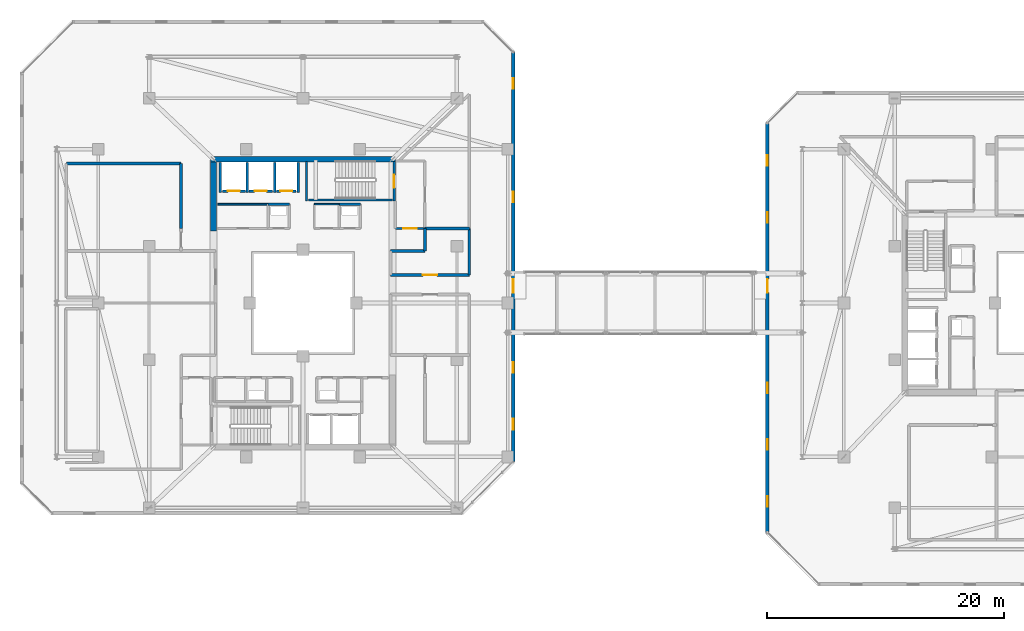
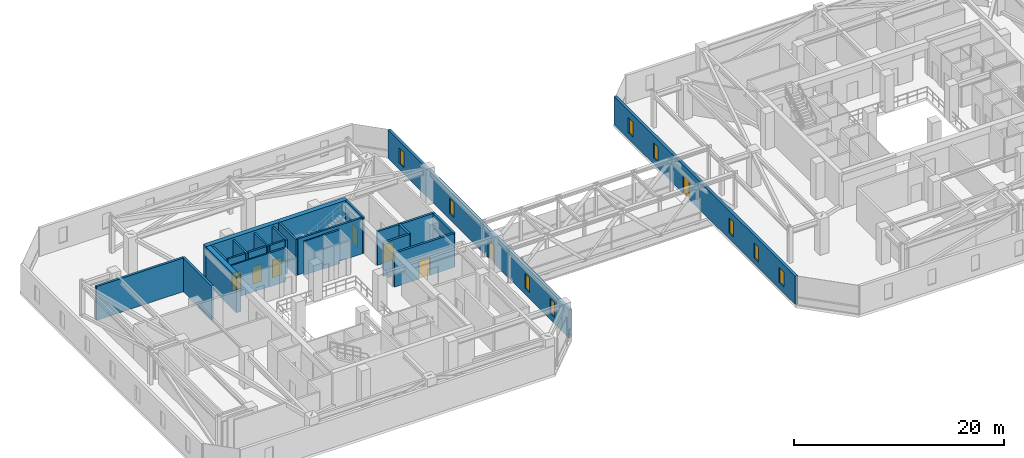
# One storey, part 35 of 42: 26 walls, 9 windows, 8 doors, 17 openings.
"""IFC4 building model written with IfcOpenShell, lengths in metres."""

from ifc_helpers import new_model, si_unit, direction, frame, frame_2d, origin, place, context, subcontext, project, spatial, rectangle, extrude, material, layer, layer_set, type_object, element, fill, save


model = new_model("IFC4")

# Units and contexts
model_context = context("Model", 3, precision=1e-05, world=origin(), true_north=direction((0.0, 1.0)))
body_context = subcontext(model_context, "Body", "Model", "MODEL_VIEW")
ifc_project = project(units=[si_unit("LENGTHUNIT", "METRE"), si_unit("AREAUNIT", "SQUARE_METRE"), si_unit("VOLUMEUNIT", "CUBIC_METRE"), si_unit("PLANEANGLEUNIT", "RADIAN"), si_unit("MASSUNIT", "GRAM", prefix="KILO")], contexts=[model_context])

# Site, building, storey
site_placement = place(None, origin())
site = spatial("IfcSite", under=ifc_project, at=site_placement, CompositionType="ELEMENT")
building_placement = place(site_placement, origin())
building = spatial("IfcBuilding", under=site, at=building_placement, Name="Thornwick Lancets Civic Towers", CompositionType="ELEMENT")
storey_placement = place(building_placement, frame((0.0, 0.0, 221.699951171875)))
storey = spatial("IfcBuildingStorey", under=building, at=storey_placement, Name="L59", CompositionType="ELEMENT", Elevation=221.699951171875)

# Wall, opening, door
ifc_material_1 = material(Name="Concrete blockwork C40/50", Category="masonry")
ifc_layer_1 = layer(ifc_material_1, 0.199951171875, Name="Concrete blockwork C40/50")
ifc_layer_set_1 = layer_set([ifc_layer_1], Name="Concrete blockwork C40/50")
wall_type_1 = type_object("IfcWallType", Name="WALL_COMP_200", PredefinedType="STANDARD", material=ifc_layer_set_1)
wall_1_placement = place(storey_placement, frame((24.919921875, 36.449951171875, 0.0), z_axis=(0.0, 0.0, 1.0), x_axis=(-1.0, 0.0, 0.0)))
wall_1 = element("IfcWall", 1, at=wall_1_placement, inside=storey, type_object=wall_type_1, Name="L59 Hoistway Front Wall FL-A2", PredefinedType="STANDARD", context=body_context, shape_type="SweptSolid", body=[
    extrude(rectangle(XDim=1.639892578125, YDim=0.199951171875, at=frame_2d((0.81982421875, 0.0))), origin(), (0.0, 0.0, 1.0), 3.93994140625),
])
opening_1_placement = place(wall_1_placement, frame((0.31005859375, 0.0, 0.0)))
opening_1 = element("IfcOpeningElement", 2, at=opening_1_placement, cuts=wall_1, Name="Opening LD-FL-A2", PredefinedType="OPENING", context=body_context, shape_type="SweptSolid", body=[
    extrude(rectangle(XDim=1.02001953125, YDim=2.06005859375, at=frame_2d((0.510009765625, 1.030029296875))), frame((0.0, 0.10986328125, 0.0), z_axis=(0.0, -1.0, 0.0), x_axis=(1.0, 0.0, 0.0)), (0.0, 0.0, 1.0), 0.219970703125),
])
ifc_material_2 = material(Name="Brushed bronze stainless steel", Category="steel")
door_type_1 = type_object("IfcDoorType", Name="DOOR_LIFT_SLIDE", OperationType="SLIDING_TO_LEFT", PredefinedType="DOOR", material=ifc_material_2)
door_1_placement = place(opening_1_placement, origin())
door_1 = element("IfcDoor", 3, at=door_1_placement, inside=storey, type_object=door_type_1, Name="L59 Sliding Lift Landing Door LD-FL-A2", OperationType="SLIDING_TO_LEFT", OverallHeight=2.06005859375, OverallWidth=1.02001953125, PredefinedType="DOOR", context=body_context, shape_type="SweptSolid", body=[
    extrude(rectangle(XDim=1.02001953125, YDim=2.06005859375, at=frame_2d((0.510009765625, 1.030029296875))), frame((0.0, 0.02490234375, 0.0), z_axis=(0.0, -1.0, 0.0), x_axis=(1.0, 0.0, 0.0)), (0.0, 0.0, 1.0), 0.050048828125),
])
fill(opening_1, door_1)

wall_2_placement = place(storey_placement, frame((22.919921875, 36.449951171875, 0.0), z_axis=(0.0, 0.0, 1.0), x_axis=(-1.0, 0.0, 0.0)))
wall_2 = element("IfcWall", 4, at=wall_2_placement, inside=storey, type_object=wall_type_1, Name="L59 Hoistway Front Wall PL-AH2", PredefinedType="STANDARD", context=body_context, shape_type="SweptSolid", body=[
    extrude(rectangle(XDim=1.989990234375, YDim=0.199951171875, at=frame_2d((0.9951171875, 0.0))), origin(), (0.0, 0.0, 1.0), 3.93994140625),
])
opening_2_placement = place(wall_2_placement, frame((0.485107421875, 0.0, 0.0)))
opening_2 = element("IfcOpeningElement", 5, at=opening_2_placement, cuts=wall_2, Name="Opening LD-PL-AH2", PredefinedType="OPENING", context=body_context, shape_type="SweptSolid", body=[
    extrude(rectangle(XDim=1.02001953125, YDim=2.06005859375, at=frame_2d((0.510009765625, 1.030029296875))), frame((0.0, 0.10986328125, 0.0), z_axis=(0.0, -1.0, 0.0), x_axis=(1.0, 0.0, 0.0)), (0.0, 0.0, 1.0), 0.219970703125),
])
door_2_placement = place(opening_2_placement, origin())
door_2 = element("IfcDoor", 6, at=door_2_placement, inside=storey, type_object=door_type_1, Name="L59 Sliding Lift Landing Door LD-PL-AH2", OperationType="SLIDING_TO_LEFT", OverallHeight=2.06005859375, OverallWidth=1.02001953125, PredefinedType="DOOR", context=body_context, shape_type="SweptSolid", body=[
    extrude(rectangle(XDim=1.02001953125, YDim=2.06005859375, at=frame_2d((0.510009765625, 1.030029296875))), frame((0.0, 0.02490234375, 0.0), z_axis=(0.0, -1.0, 0.0), x_axis=(1.0, 0.0, 0.0)), (0.0, 0.0, 1.0), 0.050048828125),
])
fill(opening_2, door_2)

wall_3_placement = place(storey_placement, frame((20.6201171875, 36.449951171875, 0.0), z_axis=(0.0, 0.0, 1.0), x_axis=(-1.0, 0.0, 0.0)))
wall_3 = element("IfcWall", 7, at=wall_3_placement, inside=storey, type_object=wall_type_1, Name="L59 Hoistway Front Wall PL-AH3", PredefinedType="STANDARD", context=body_context, shape_type="SweptSolid", body=[
    extrude(rectangle(XDim=1.940185546875, YDim=0.199951171875, at=frame_2d((0.97021484375, 0.0))), origin(), (0.0, 0.0, 1.0), 3.93994140625),
])
opening_3_placement = place(wall_3_placement, frame((0.4599609375, 0.0, 0.0)))
opening_3 = element("IfcOpeningElement", 8, at=opening_3_placement, cuts=wall_3, Name="Opening LD-PL-AH3", PredefinedType="OPENING", context=body_context, shape_type="SweptSolid", body=[
    extrude(rectangle(XDim=1.02001953125, YDim=2.06005859375, at=frame_2d((0.510009765625, 1.030029296875))), frame((0.0, 0.10986328125, 0.0), z_axis=(0.0, -1.0, 0.0), x_axis=(1.0, 0.0, 0.0)), (0.0, 0.0, 1.0), 0.219970703125),
])
door_3_placement = place(opening_3_placement, origin())
door_3 = element("IfcDoor", 9, at=door_3_placement, inside=storey, type_object=door_type_1, Name="L59 Sliding Lift Landing Door LD-PL-AH3", OperationType="SLIDING_TO_LEFT", OverallHeight=2.06005859375, OverallWidth=1.02001953125, PredefinedType="DOOR", context=body_context, shape_type="SweptSolid", body=[
    extrude(rectangle(XDim=1.02001953125, YDim=2.06005859375, at=frame_2d((0.510009765625, 1.030029296875))), frame((0.0, 0.02490234375, 0.0), z_axis=(0.0, -1.0, 0.0), x_axis=(1.0, 0.0, 0.0)), (0.0, 0.0, 1.0), 0.050048828125),
])
fill(opening_3, door_3)

# Walls
for number, where, z_axis, x_axis, name in (
    (10, (25.10009765625, 36.35205078125, 0.0), (0.0, 0.0, 1.0), (0.0, 1.0, 0.0), "L59 Hoistway Shaft Wall FL-A2 E"),
    (11, (23.10009765625, 36.35205078125, 0.0), (0.0, 0.0, 1.0), (0.0, 1.0, 0.0), "L59 Hoistway Shaft Wall FL-A2 W"),
    (12, (20.77490234375, 36.35205078125, 0.0), (0.0, 0.0, 1.0), (0.0, 1.0, 0.0), "L59 Hoistway Shaft Wall PL-AH2 W"),
    (13, (18.5, 36.35205078125, 0.0), (0.0, 0.0, 1.0), (0.0, 1.0, 0.0), "L59 Hoistway Shaft Wall PL-AH3 W"),
):
    element("IfcWall", number, at=place(storey_placement, frame(where, z_axis=z_axis, x_axis=x_axis)), inside=storey, type_object=wall_type_1, Name=name, PredefinedType="STANDARD", context=body_context, shape_type="SweptSolid", body=[
        extrude(rectangle(XDim=2.535888671875, YDim=0.199951171875, at=frame_2d((1.26806640625, 0.0))), origin(), (0.0, 0.0, 1.0), 3.93994140625),
    ])

# Wall, opening, door
wall_4_placement = place(storey_placement, frame((33.300048828125, 33.300048828125, 0.0), z_axis=(0.0, 0.0, 1.0), x_axis=(1.0, 0.0, 0.0)))
wall_4 = element("IfcWall", 14, at=wall_4_placement, inside=storey, type_object=wall_type_1, Name="L59 Partition L59-A-FFLOB2 E1", PredefinedType="STANDARD", context=body_context, shape_type="SweptSolid", body=[
    extrude(rectangle(XDim=2.5, YDim=0.199951171875, at=frame_2d((1.25, 0.0))), origin(), (0.0, 0.0, 1.0), 3.93994140625),
])
opening_4_placement = place(wall_4_placement, frame((0.675048828125, 0.0, 0.0)))
opening_4 = element("IfcOpeningElement", 15, at=opening_4_placement, cuts=wall_4, Name="Opening D-L59-2640", PredefinedType="OPENING", context=body_context, shape_type="SweptSolid", body=[
    extrude(rectangle(XDim=1.14990234375, YDim=2.10009765625, at=frame_2d((0.574951171875, 1.050048828125))), frame((0.0, 0.10986328125, 0.0), z_axis=(0.0, -1.0, 0.0), x_axis=(1.0, 0.0, 0.0)), (0.0, 0.0, 1.0), 0.219970703125),
])
ifc_material_3 = material(Name="Glazed fire-resisting steel", Category="steel")
door_type_2 = type_object("IfcDoorType", Name="DOOR_LOBBY_FD60", OperationType="NOTDEFINED", PredefinedType="DOOR", material=ifc_material_3)
door_4_placement = place(opening_4_placement, origin())
door_4 = element("IfcDoor", 16, at=door_4_placement, inside=storey, type_object=door_type_2, Name="L59 North Firefighting Lobby 2 Door", OperationType="SINGLE_SWING_LEFT", OverallHeight=2.10009765625, OverallWidth=1.14990234375, PredefinedType="DOOR", context=body_context, shape_type="SweptSolid", body=[
    extrude(rectangle(XDim=1.14990234375, YDim=2.10009765625, at=frame_2d((0.574951171875, 1.050048828125))), frame((0.0, 0.02490234375, 0.0), z_axis=(0.0, -1.0, 0.0), x_axis=(1.0, 0.0, 0.0)), (0.0, 0.0, 1.0), 0.050048828125),
])
fill(opening_4, door_4)

# Walls
for number, where, z_axis, x_axis, name in (
    (17, (24.35009765625, 35.35009765625, 0.0), (0.0, 0.0, 1.0), (-1.0, 0.0, 0.0), "L59 Partition L59-A-DUCT2 E3"),
    (18, (30.35009765625, 35.35009765625, 0.0), (0.0, 0.0, 1.0), (-1.0, 0.0, 0.0), "L59 Partition L59-A-RISER2 E3"),
):
    element("IfcWall", number, at=place(storey_placement, frame(where, z_axis=z_axis, x_axis=x_axis)), inside=storey, type_object=wall_type_1, Name=name, PredefinedType="STANDARD", context=body_context, shape_type="SweptSolid", body=[
        extrude(rectangle(XDim=1.800048828125, YDim=0.199951171875, at=frame_2d((0.89990234375, 0.0))), origin(), (0.0, 0.0, 1.0), 3.93994140625),
    ])
ifc_layer_2 = layer(ifc_material_1, 0.239990234375, Name="Concrete blockwork C40/50")
ifc_layer_set_2 = layer_set([ifc_layer_2], Name="Concrete blockwork C40/50")
wall_type_2 = type_object("IfcWallType", Name="WALL_COMP_240", PredefinedType="STANDARD", material=ifc_layer_set_2)
wall_5_placement = place(storey_placement, frame((32.89990234375, 31.39990234375, 0.0), z_axis=(0.0, 0.0, 1.0), x_axis=(1.0, 0.0, 0.0)))
element("IfcWall", 19, at=wall_5_placement, inside=storey, type_object=wall_type_2, Name="L59 Partition L59-A-PL-PRS E1", PredefinedType="STANDARD", context=body_context, shape_type="SweptSolid", body=[
    extrude(rectangle(XDim=2.900146484375, YDim=0.239990234375, at=frame_2d((1.4501953125, 0.0))), origin(), (0.0, 0.0, 1.0), 3.93994140625),
])
wall_6_placement = place(storey_placement, frame((35.800048828125, 31.39990234375, 0.0), z_axis=(0.0, 0.0, 1.0), x_axis=(0.0, 1.0, 0.0)))
element("IfcWall", 20, at=wall_6_placement, inside=storey, type_object=wall_type_2, Name="L59 Partition L59-A-PL-PRS E2", PredefinedType="STANDARD", context=body_context, shape_type="SweptSolid", body=[
    extrude(rectangle(XDim=1.900146484375, YDim=0.239990234375, at=frame_2d((0.9501953125, 0.0))), origin(), (0.0, 0.0, 1.0), 3.93994140625),
])
wall_7_placement = place(storey_placement, frame((35.800048828125, 33.300048828125, 0.0), z_axis=(0.0, 0.0, 1.0), x_axis=(1.0, 0.0, 0.0)))
element("IfcWall", 21, at=wall_7_placement, inside=storey, type_object=wall_type_2, Name="L59 Partition L59-A-PL-PRS E3", PredefinedType="STANDARD", context=body_context, shape_type="SweptSolid", body=[
    extrude(rectangle(XDim=3.75, YDim=0.239990234375, at=frame_2d((1.875, 0.0))), origin(), (0.0, 0.0, 1.0), 3.93994140625),
])
wall_8_placement = place(storey_placement, frame((39.550048828125, 33.300048828125, 0.0), z_axis=(0.0, 0.0, 1.0), x_axis=(0.0, -1.0, 0.0)))
element("IfcWall", 22, at=wall_8_placement, inside=storey, type_object=wall_type_2, Name="L59 Partition L59-A-PL-PRS E4", PredefinedType="STANDARD", context=body_context, shape_type="SweptSolid", body=[
    extrude(rectangle(XDim=3.920166015625, YDim=0.239990234375, at=frame_2d((1.9599609375, 0.0))), origin(), (0.0, 0.0, 1.0), 3.93994140625),
])

# Wall, opening, door
wall_9_placement = place(storey_placement, frame((39.550048828125, 29.3798828125, 0.0), z_axis=(0.0, 0.0, 1.0), x_axis=(-1.0, 0.0, 0.0)))
wall_9 = element("IfcWall", 23, at=wall_9_placement, inside=storey, type_object=wall_type_2, Name="L59 Partition L59-A-PL-PRS E5", PredefinedType="STANDARD", context=body_context, shape_type="SweptSolid", body=[
    extrude(rectangle(XDim=6.650146484375, YDim=0.239990234375, at=frame_2d((3.3251953125, 0.0))), origin(), (0.0, 0.0, 1.0), 3.93994140625),
])
opening_5_placement = place(wall_9_placement, frame((2.72509765625, 0.0, 0.0)))
opening_5 = element("IfcOpeningElement", 24, at=opening_5_placement, cuts=wall_9, Name="Opening D-L59-2664", PredefinedType="OPENING", context=body_context, shape_type="SweptSolid", body=[
    extrude(rectangle(XDim=1.199951171875, YDim=2.10009765625, at=frame_2d((0.60009765625, 1.050048828125))), frame((0.0, 0.1298828125, 0.0), z_axis=(0.0, -1.0, 0.0), x_axis=(1.0, 0.0, 0.0)), (0.0, 0.0, 1.0), 0.260009765625),
])
ifc_material_4 = material(Name="Steel plant room doorset", Category="steel")
door_type_3 = type_object("IfcDoorType", Name="DOOR_PLANT_1200", OperationType="NOTDEFINED", PredefinedType="DOOR", material=ifc_material_4)
door_5_placement = place(opening_5_placement, origin())
door_5 = element("IfcDoor", 25, at=door_5_placement, inside=storey, type_object=door_type_3, Name="L59 Tower A Pressurisation Air Handling Plant Room Door", OperationType="SINGLE_SWING_LEFT", OverallHeight=2.10009765625, OverallWidth=1.199951171875, PredefinedType="DOOR", context=body_context, shape_type="SweptSolid", body=[
    extrude(rectangle(XDim=1.199951171875, YDim=2.10009765625, at=frame_2d((0.60009765625, 1.050048828125))), frame((0.0, 0.02490234375, 0.0), z_axis=(0.0, -1.0, 0.0), x_axis=(1.0, 0.0, 0.0)), (0.0, 0.0, 1.0), 0.050048828125),
])
fill(opening_5, door_5)

# Walls
wall_10_placement = place(storey_placement, frame((5.5, 38.800048828125, 0.0), z_axis=(0.0, 0.0, 1.0), x_axis=(1.0, 0.0, 0.0)))
element("IfcWall", 26, at=wall_10_placement, inside=storey, type_object=wall_type_2, Name="L59 Partition L59-A-PL-ELC E1", PredefinedType="STANDARD", context=body_context, shape_type="SweptSolid", body=[
    extrude(rectangle(XDim=9.699951171875, YDim=0.239990234375, at=frame_2d((4.85009765625, 0.0))), origin(), (0.0, 0.0, 1.0), 3.93994140625),
])
wall_11_placement = place(storey_placement, frame((15.199951171875, 38.800048828125, 0.0), z_axis=(0.0, 0.0, 1.0), x_axis=(0.0, -1.0, 0.0)))
element("IfcWall", 27, at=wall_11_placement, inside=storey, type_object=wall_type_2, Name="L59 Partition L59-A-PL-ELC E2", PredefinedType="STANDARD", context=body_context, shape_type="SweptSolid", body=[
    extrude(rectangle(XDim=5.5, YDim=0.239990234375, at=frame_2d((2.75, 0.0))), origin(), (0.0, 0.0, 1.0), 3.93994140625),
])
ifc_material_5 = material(Name="Concrete C50/60", Category="concrete")
ifc_layer_3 = layer(ifc_material_5, 0.5, Name="Concrete C50/60")
ifc_layer_set_3 = layer_set([ifc_layer_3], Name="Concrete C50/60")
wall_type_3 = type_object("IfcWallType", Name="WALL_CORE_500", PredefinedType="SHEAR", material=ifc_layer_set_3)
wall_12_placement = place(storey_placement, frame((17.699951171875, 39.14990234375, 0.0), z_axis=(0.0, 0.0, 1.0), x_axis=(1.0, 0.0, 0.0)))
element("IfcWall", 28, at=wall_12_placement, inside=storey, type_object=wall_type_3, Name="L59 Split Core A2 Shear Wall N", PredefinedType="SHEAR", context=body_context, shape_type="SweptSolid", body=[
    extrude(rectangle(XDim=15.60009765625, YDim=0.5, at=frame_2d((7.800048828125, 0.0))), origin(), (0.0, 0.0, 1.0), 4.199951171875),
])
wall_13_placement = place(storey_placement, frame((17.949951171875, 33.10009765625, 0.0), z_axis=(0.0, 0.0, 1.0), x_axis=(0.0, 1.0, 0.0)))
element("IfcWall", 29, at=wall_13_placement, inside=storey, type_object=wall_type_3, Name="L59 Split Core A2 Shear Wall W", PredefinedType="SHEAR", context=body_context, shape_type="SweptSolid", body=[
    extrude(rectangle(XDim=5.7998046875, YDim=0.5, at=frame_2d((2.89990234375, 0.0))), origin(), (0.0, 0.0, 1.0), 4.199951171875),
])

# Wall, openings, door, windows
ifc_material_6 = material(Name="Insulated russet terracotta rainscreen on concrete C40/50", Category="masonry")
ifc_layer_4 = layer(ifc_material_6, 0.300048828125, Name="Insulated russet terracotta rainscreen on concrete C40/50")
ifc_layer_set_4 = layer_set([ifc_layer_4], Name="Insulated russet terracotta rainscreen on concrete C40/50")
wall_type_4 = type_object("IfcWallType", Name="WALL_EXT_RUSSET_300", PredefinedType="STANDARD", material=ifc_layer_set_4)
wall_14_placement = place(storey_placement, frame((43.2587890625, 13.611572265625, 0.0), z_axis=(0.0, 0.0, 1.0), x_axis=(0.000169493917, 0.999999985636, 0.0)))
wall_14 = element("IfcWall", 30, at=wall_14_placement, inside=storey, type_object=wall_type_4, Name="L59 Tower A Terracotta Facade Wall E2", PredefinedType="STANDARD", context=body_context, shape_type="SweptSolid", body=[
    extrude(rectangle(XDim=34.56982421875, YDim=0.300048828125, at=frame_2d((17.284912109375, 0.0))), origin(), (0.0, 0.0, 1.0), 3.300048828125),
])
opening_6_placement = place(wall_14_placement, frame((14.263427734375, 0.0, 0.0)))
opening_6 = element("IfcOpeningElement", 31, at=opening_6_placement, cuts=wall_14, Name="Opening D-BRG-L59-A", PredefinedType="OPENING", context=body_context, shape_type="SweptSolid", body=[
    extrude(rectangle(XDim=1.14990234375, YDim=2.10009765625, at=frame_2d((0.574951171875, 1.050048828125))), frame((0.0, 0.16015625, 0.0), z_axis=(0.0, -1.0, 0.0), x_axis=(1.0, 0.0, 0.0)), (0.0, 0.0, 1.0), 0.320068359375),
])
opening_7_placement = place(wall_14_placement, frame((2.699951171875, 0.0, 0.719970703125)))
opening_7 = element("IfcOpeningElement", 32, at=opening_7_placement, cuts=wall_14, Name="Opening WL-01", PredefinedType="OPENING", context=body_context, shape_type="SweptSolid", body=[
    extrude(rectangle(XDim=0.89990234375, YDim=1.75, at=frame_2d((0.449951171875, 0.875))), frame((0.0, 0.16015625, 0.0), z_axis=(0.0, -1.0, 0.0), x_axis=(1.0, 0.0, 0.0)), (0.0, 0.0, 1.0), 0.320068359375),
])
opening_8_placement = place(wall_14_placement, frame((7.5, 0.0, 0.719970703125)))
opening_8 = element("IfcOpeningElement", 33, at=opening_8_placement, cuts=wall_14, Name="Opening WL-01", PredefinedType="OPENING", context=body_context, shape_type="SweptSolid", body=[
    extrude(rectangle(XDim=0.89990234375, YDim=1.75, at=frame_2d((0.449951171875, 0.875))), frame((0.0, 0.16015625, 0.0), z_axis=(0.0, -1.0, 0.0), x_axis=(1.0, 0.0, 0.0)), (0.0, 0.0, 1.0), 0.320068359375),
])
opening_9_placement = place(wall_14_placement, frame((21.89990234375, 0.0, 0.719970703125)))
opening_9 = element("IfcOpeningElement", 34, at=opening_9_placement, cuts=wall_14, Name="Opening WL-01", PredefinedType="OPENING", context=body_context, shape_type="SweptSolid", body=[
    extrude(rectangle(XDim=0.89990234375, YDim=1.75, at=frame_2d((0.449951171875, 0.875))), frame((0.0, 0.16015625, 0.0), z_axis=(0.0, -1.0, 0.0), x_axis=(1.0, 0.0, 0.0)), (0.0, 0.0, 1.0), 0.320068359375),
])
opening_10_placement = place(wall_14_placement, frame((31.5, 0.0, 0.719970703125)))
opening_10 = element("IfcOpeningElement", 35, at=opening_10_placement, cuts=wall_14, Name="Opening WL-01", PredefinedType="OPENING", context=body_context, shape_type="SweptSolid", body=[
    extrude(rectangle(XDim=0.89990234375, YDim=1.75, at=frame_2d((0.449951171875, 0.875))), frame((0.0, 0.16015625, 0.0), z_axis=(0.0, -1.0, 0.0), x_axis=(1.0, 0.0, 0.0)), (0.0, 0.0, 1.0), 0.320068359375),
])
ifc_material_7 = material(Name="Fire-resisting steel doorset", Category="steel")
door_type_4 = type_object("IfcDoorType", Name="DOOR_BRIDGE_FD120", OperationType="DOUBLE_DOOR_SINGLE_SWING", PredefinedType="DOOR", material=ifc_material_7)
door_6_placement = place(opening_6_placement, origin())
door_6 = element("IfcDoor", 36, at=door_6_placement, inside=storey, type_object=door_type_4, Name="L59 Tower A Skybridge Escape Fire Door", OperationType="DOUBLE_DOOR_SINGLE_SWING", OverallHeight=2.10009765625, OverallWidth=1.14990234375, PredefinedType="DOOR", context=body_context, shape_type="SweptSolid", body=[
    extrude(rectangle(XDim=1.14990234375, YDim=2.10009765625, at=frame_2d((0.574951171875, 1.050048828125))), frame((0.0, 0.02490234375, 0.0), z_axis=(0.0, -1.0, 0.0), x_axis=(1.0, 0.0, 0.0)), (0.0, 0.0, 1.0), 0.050048828125),
])
fill(opening_6, door_6)
ifc_material_8 = material(Name="Clear low-e double glazing in bronze frame", Category="glass")
window_type = type_object("IfcWindowType", Name="WIN_LANCET_900", PartitioningType="SINGLE_PANEL", PredefinedType="WINDOW", material=ifc_material_8)
window_1_placement = place(opening_7_placement, origin())
window_1 = element("IfcWindow", 37, at=window_1_placement, inside=storey, type_object=window_type, Name="L59 Tower A Staggered Lancet Window E2-1", OverallHeight=1.75, OverallWidth=0.89990234375, PartitioningType="SINGLE_PANEL", PredefinedType="WINDOW", context=body_context, shape_type="SweptSolid", body=[
    extrude(rectangle(XDim=0.89990234375, YDim=1.75, at=frame_2d((0.449951171875, 0.875))), frame((0.0, 0.030029296875, 0.0), z_axis=(0.0, -1.0, 0.0), x_axis=(1.0, 0.0, 0.0)), (0.0, 0.0, 1.0), 0.06005859375),
])
fill(opening_7, window_1)
window_2_placement = place(opening_8_placement, origin())
window_2 = element("IfcWindow", 38, at=window_2_placement, inside=storey, type_object=window_type, Name="L59 Tower A Staggered Lancet Window E2-2", OverallHeight=1.75, OverallWidth=0.89990234375, PartitioningType="SINGLE_PANEL", PredefinedType="WINDOW", context=body_context, shape_type="SweptSolid", body=[
    extrude(rectangle(XDim=0.89990234375, YDim=1.75, at=frame_2d((0.449951171875, 0.875))), frame((0.0, 0.030029296875, 0.0), z_axis=(0.0, -1.0, 0.0), x_axis=(1.0, 0.0, 0.0)), (0.0, 0.0, 1.0), 0.06005859375),
])
fill(opening_8, window_2)
window_3_placement = place(opening_9_placement, origin())
window_3 = element("IfcWindow", 39, at=window_3_placement, inside=storey, type_object=window_type, Name="L59 Tower A Staggered Lancet Window E2-3", OverallHeight=1.75, OverallWidth=0.89990234375, PartitioningType="SINGLE_PANEL", PredefinedType="WINDOW", context=body_context, shape_type="SweptSolid", body=[
    extrude(rectangle(XDim=0.89990234375, YDim=1.75, at=frame_2d((0.449951171875, 0.875))), frame((0.0, 0.030029296875, 0.0), z_axis=(0.0, -1.0, 0.0), x_axis=(1.0, 0.0, 0.0)), (0.0, 0.0, 1.0), 0.06005859375),
])
fill(opening_9, window_3)
window_4_placement = place(opening_10_placement, origin())
window_4 = element("IfcWindow", 40, at=window_4_placement, inside=storey, type_object=window_type, Name="L59 Tower A Staggered Lancet Window E2-4", OverallHeight=1.75, OverallWidth=0.89990234375, PartitioningType="SINGLE_PANEL", PredefinedType="WINDOW", context=body_context, shape_type="SweptSolid", body=[
    extrude(rectangle(XDim=0.89990234375, YDim=1.75, at=frame_2d((0.449951171875, 0.875))), frame((0.0, 0.030029296875, 0.0), z_axis=(0.0, -1.0, 0.0), x_axis=(1.0, 0.0, 0.0)), (0.0, 0.0, 1.0), 0.06005859375),
])
fill(opening_10, window_4)

wall_15_placement = place(storey_placement, frame((64.7353515625, 42.181396484375, 0.0), z_axis=(0.0, 0.0, 1.0), x_axis=(0.000169493917, -0.999999985636, 0.0)))
wall_15 = element("IfcWall", 41, at=wall_15_placement, inside=storey, type_object=wall_type_4, Name="L59 Tower B Terracotta Facade Wall E6", PredefinedType="STANDARD", context=body_context, shape_type="SweptSolid", body=[
    extrude(rectangle(XDim=34.56982421875, YDim=0.300048828125, at=frame_2d((17.284912109375, 0.0))), origin(), (0.0, 0.0, 1.0), 3.300048828125),
])
opening_11_placement = place(wall_15_placement, frame((13.156494140625, 0.0, 0.0)))
opening_11 = element("IfcOpeningElement", 42, at=opening_11_placement, cuts=wall_15, Name="Opening D-BRG-L59-B", PredefinedType="OPENING", context=body_context, shape_type="SweptSolid", body=[
    extrude(rectangle(XDim=1.14990234375, YDim=2.10009765625, at=frame_2d((0.574951171875, 1.050048828125))), frame((0.0, 0.16015625, 0.0), z_axis=(0.0, -1.0, 0.0), x_axis=(1.0, 0.0, 0.0)), (0.0, 0.0, 1.0), 0.320068359375),
])
opening_12_placement = place(wall_15_placement, frame((2.699951171875, 0.0, 0.719970703125)))
opening_12 = element("IfcOpeningElement", 43, at=opening_12_placement, cuts=wall_15, Name="Opening WL-01", PredefinedType="OPENING", context=body_context, shape_type="SweptSolid", body=[
    extrude(rectangle(XDim=0.89990234375, YDim=1.75, at=frame_2d((0.449951171875, 0.875))), frame((0.0, 0.16015625, 0.0), z_axis=(0.0, -1.0, 0.0), x_axis=(1.0, 0.0, 0.0)), (0.0, 0.0, 1.0), 0.320068359375),
])
opening_13_placement = place(wall_15_placement, frame((7.5, 0.0, 0.719970703125)))
opening_13 = element("IfcOpeningElement", 44, at=opening_13_placement, cuts=wall_15, Name="Opening WL-01", PredefinedType="OPENING", context=body_context, shape_type="SweptSolid", body=[
    extrude(rectangle(XDim=0.89990234375, YDim=1.75, at=frame_2d((0.449951171875, 0.875))), frame((0.0, 0.16015625, 0.0), z_axis=(0.0, -1.0, 0.0), x_axis=(1.0, 0.0, 0.0)), (0.0, 0.0, 1.0), 0.320068359375),
])
opening_14_placement = place(wall_15_placement, frame((21.89990234375, 0.0, 0.719970703125)))
opening_14 = element("IfcOpeningElement", 45, at=opening_14_placement, cuts=wall_15, Name="Opening WL-01", PredefinedType="OPENING", context=body_context, shape_type="SweptSolid", body=[
    extrude(rectangle(XDim=0.89990234375, YDim=1.75, at=frame_2d((0.449951171875, 0.875))), frame((0.0, 0.16015625, 0.0), z_axis=(0.0, -1.0, 0.0), x_axis=(1.0, 0.0, 0.0)), (0.0, 0.0, 1.0), 0.320068359375),
])
opening_15_placement = place(wall_15_placement, frame((26.699951171875, 0.0, 0.719970703125)))
opening_15 = element("IfcOpeningElement", 46, at=opening_15_placement, cuts=wall_15, Name="Opening WL-01", PredefinedType="OPENING", context=body_context, shape_type="SweptSolid", body=[
    extrude(rectangle(XDim=0.89990234375, YDim=1.75, at=frame_2d((0.449951171875, 0.875))), frame((0.0, 0.16015625, 0.0), z_axis=(0.0, -1.0, 0.0), x_axis=(1.0, 0.0, 0.0)), (0.0, 0.0, 1.0), 0.320068359375),
])
opening_16_placement = place(wall_15_placement, frame((31.5, 0.0, 0.719970703125)))
opening_16 = element("IfcOpeningElement", 47, at=opening_16_placement, cuts=wall_15, Name="Opening WL-01", PredefinedType="OPENING", context=body_context, shape_type="SweptSolid", body=[
    extrude(rectangle(XDim=0.89990234375, YDim=1.75, at=frame_2d((0.449951171875, 0.875))), frame((0.0, 0.16015625, 0.0), z_axis=(0.0, -1.0, 0.0), x_axis=(1.0, 0.0, 0.0)), (0.0, 0.0, 1.0), 0.320068359375),
])
door_7_placement = place(opening_11_placement, origin())
door_7 = element("IfcDoor", 48, at=door_7_placement, inside=storey, type_object=door_type_4, Name="L59 Tower B Skybridge Escape Fire Door", OperationType="DOUBLE_DOOR_SINGLE_SWING", OverallHeight=2.10009765625, OverallWidth=1.14990234375, PredefinedType="DOOR", context=body_context, shape_type="SweptSolid", body=[
    extrude(rectangle(XDim=1.14990234375, YDim=2.10009765625, at=frame_2d((0.574951171875, 1.050048828125))), frame((0.0, 0.02490234375, 0.0), z_axis=(0.0, -1.0, 0.0), x_axis=(1.0, 0.0, 0.0)), (0.0, 0.0, 1.0), 0.050048828125),
])
fill(opening_11, door_7)
window_5_placement = place(opening_12_placement, origin())
window_5 = element("IfcWindow", 49, at=window_5_placement, inside=storey, type_object=window_type, Name="L59 Tower B Staggered Lancet Window E6-1", OverallHeight=1.75, OverallWidth=0.89990234375, PartitioningType="SINGLE_PANEL", PredefinedType="WINDOW", context=body_context, shape_type="SweptSolid", body=[
    extrude(rectangle(XDim=0.89990234375, YDim=1.75, at=frame_2d((0.449951171875, 0.875))), frame((0.0, 0.030029296875, 0.0), z_axis=(0.0, -1.0, 0.0), x_axis=(1.0, 0.0, 0.0)), (0.0, 0.0, 1.0), 0.06005859375),
])
fill(opening_12, window_5)
window_6_placement = place(opening_13_placement, origin())
window_6 = element("IfcWindow", 50, at=window_6_placement, inside=storey, type_object=window_type, Name="L59 Tower B Staggered Lancet Window E6-2", OverallHeight=1.75, OverallWidth=0.89990234375, PartitioningType="SINGLE_PANEL", PredefinedType="WINDOW", context=body_context, shape_type="SweptSolid", body=[
    extrude(rectangle(XDim=0.89990234375, YDim=1.75, at=frame_2d((0.449951171875, 0.875))), frame((0.0, 0.030029296875, 0.0), z_axis=(0.0, -1.0, 0.0), x_axis=(1.0, 0.0, 0.0)), (0.0, 0.0, 1.0), 0.06005859375),
])
fill(opening_13, window_6)
window_7_placement = place(opening_14_placement, origin())
window_7 = element("IfcWindow", 51, at=window_7_placement, inside=storey, type_object=window_type, Name="L59 Tower B Staggered Lancet Window E6-3", OverallHeight=1.75, OverallWidth=0.89990234375, PartitioningType="SINGLE_PANEL", PredefinedType="WINDOW", context=body_context, shape_type="SweptSolid", body=[
    extrude(rectangle(XDim=0.89990234375, YDim=1.75, at=frame_2d((0.449951171875, 0.875))), frame((0.0, 0.030029296875, 0.0), z_axis=(0.0, -1.0, 0.0), x_axis=(1.0, 0.0, 0.0)), (0.0, 0.0, 1.0), 0.06005859375),
])
fill(opening_14, window_7)
window_8_placement = place(opening_15_placement, origin())
window_8 = element("IfcWindow", 52, at=window_8_placement, inside=storey, type_object=window_type, Name="L59 Tower B Staggered Lancet Window E6-4", OverallHeight=1.75, OverallWidth=0.89990234375, PartitioningType="SINGLE_PANEL", PredefinedType="WINDOW", context=body_context, shape_type="SweptSolid", body=[
    extrude(rectangle(XDim=0.89990234375, YDim=1.75, at=frame_2d((0.449951171875, 0.875))), frame((0.0, 0.030029296875, 0.0), z_axis=(0.0, -1.0, 0.0), x_axis=(1.0, 0.0, 0.0)), (0.0, 0.0, 1.0), 0.06005859375),
])
fill(opening_15, window_8)
window_9_placement = place(opening_16_placement, origin())
window_9 = element("IfcWindow", 53, at=window_9_placement, inside=storey, type_object=window_type, Name="L59 Tower B Staggered Lancet Window E6-5", OverallHeight=1.75, OverallWidth=0.89990234375, PartitioningType="SINGLE_PANEL", PredefinedType="WINDOW", context=body_context, shape_type="SweptSolid", body=[
    extrude(rectangle(XDim=0.89990234375, YDim=1.75, at=frame_2d((0.449951171875, 0.875))), frame((0.0, 0.030029296875, 0.0), z_axis=(0.0, -1.0, 0.0), x_axis=(1.0, 0.0, 0.0)), (0.0, 0.0, 1.0), 0.06005859375),
])
fill(opening_16, window_9)

# Walls
ifc_material_9 = material(Name="Acoustic gypsum board partition")
ifc_layer_5 = layer(ifc_material_9, 0.1201171875, Name="Acoustic gypsum board partition")
ifc_layer_set_5 = layer_set([ifc_layer_5], Name="Acoustic gypsum board partition")
wall_type_5 = type_object("IfcWallType", Name="WALL_PART_120", PredefinedType="PARTITIONING", material=ifc_layer_set_5)
wall_16_placement = place(storey_placement, frame((26.449951171875, 35.35009765625, 0.0), z_axis=(0.0, 0.0, 1.0), x_axis=(1.0, 0.0, 0.0)))
element("IfcWall", 54, at=wall_16_placement, inside=storey, type_object=wall_type_5, Name="L59 Partition L59-A-ITR E2", PredefinedType="PARTITIONING", context=body_context, shape_type="SweptSolid", body=[
    extrude(rectangle(XDim=2.10009765625, YDim=0.1201171875, at=frame_2d((1.050048828125, 0.0))), origin(), (0.0, 0.0, 1.0), 3.93994140625),
])
ifc_material_10 = material(Name="Twin-stud acoustic gypsum board")
ifc_layer_6 = layer(ifc_material_10, 0.14990234375, Name="Twin-stud acoustic gypsum board")
ifc_layer_set_6 = layer_set([ifc_layer_6], Name="Twin-stud acoustic gypsum board")
wall_type_6 = type_object("IfcWallType", Name="WALL_PART_150", PredefinedType="PARTITIONING", material=ifc_layer_set_6)
wall_17_placement = place(storey_placement, frame((18.300048828125, 35.35009765625, 0.0), z_axis=(0.0, 0.0, 1.0), x_axis=(1.0, 0.0, 0.0)))
element("IfcWall", 55, at=wall_17_placement, inside=storey, type_object=wall_type_6, Name="L59 Partition L59-A-FWC E2", PredefinedType="PARTITIONING", context=body_context, shape_type="SweptSolid", body=[
    extrude(rectangle(XDim=4.25, YDim=0.14990234375, at=frame_2d((2.125, 0.0))), origin(), (0.0, 0.0, 1.0), 3.93994140625),
])

# Wall, opening, door
ifc_material_11 = material(Name="Concrete C40/50", Category="concrete")
ifc_layer_7 = layer(ifc_material_11, 0.199951171875, Name="Concrete C40/50")
ifc_layer_set_7 = layer_set([ifc_layer_7], Name="Concrete C40/50")
wall_type_7 = type_object("IfcWallType", Name="WALL_SHAFT_200", PredefinedType="SHEAR", material=ifc_layer_set_7)
wall_18_placement = place(storey_placement, frame((33.199951171875, 38.949951171875, 0.0), z_axis=(0.0, 0.0, 1.0), x_axis=(0.0, -1.0, 0.0)))
wall_18 = element("IfcWall", 56, at=wall_18_placement, inside=storey, type_object=wall_type_7, Name="L59 ST-A2 Fire Stair Core Wall NEAR", PredefinedType="SHEAR", context=body_context, shape_type="SweptSolid", body=[
    extrude(rectangle(XDim=3.349853515625, YDim=0.199951171875, at=frame_2d((1.6748046875, 0.0))), origin(), (0.0, 0.0, 1.0), 4.199951171875),
])
opening_17_placement = place(wall_18_placement, frame((1.125, 0.0, 0.0)))
opening_17 = element("IfcOpeningElement", 57, at=opening_17_placement, cuts=wall_18, Name="Opening D-ST-A2-L59", PredefinedType="OPENING", context=body_context, shape_type="SweptSolid", body=[
    extrude(rectangle(XDim=1.10009765625, YDim=2.10009765625, at=frame_2d((0.550048828125, 1.050048828125))), frame((0.0, 0.10986328125, 0.0), z_axis=(0.0, -1.0, 0.0), x_axis=(1.0, 0.0, 0.0)), (0.0, 0.0, 1.0), 0.219970703125),
])
ifc_material_12 = material(Name="Fire-resisting steel and hardwood", Category="steel")
door_type_5 = type_object("IfcDoorType", Name="DOOR_STAIR_FD60", OperationType="NOTDEFINED", PredefinedType="DOOR", material=ifc_material_12)
door_8_placement = place(opening_17_placement, origin())
door_8 = element("IfcDoor", 58, at=door_8_placement, inside=storey, type_object=door_type_5, Name="L59 ST-A2 Exit Stair Door", OperationType="SINGLE_SWING_LEFT", OverallHeight=2.10009765625, OverallWidth=1.10009765625, PredefinedType="DOOR", context=body_context, shape_type="SweptSolid", body=[
    extrude(rectangle(XDim=1.10009765625, YDim=2.10009765625, at=frame_2d((0.550048828125, 1.050048828125))), frame((0.0, 0.02490234375, 0.0), z_axis=(0.0, -1.0, 0.0), x_axis=(1.0, 0.0, 0.0)), (0.0, 0.0, 1.0), 0.050048828125),
])
fill(opening_17, door_8)

# Walls
wall_19_placement = place(storey_placement, frame((25.800048828125, 35.60009765625, 0.0), z_axis=(0.0, 0.0, 1.0), x_axis=(0.0, 1.0, 0.0)))
element("IfcWall", 59, at=wall_19_placement, inside=storey, type_object=wall_type_7, Name="L59 ST-A2 Fire Stair Core Wall FAR", PredefinedType="SHEAR", context=body_context, shape_type="SweptSolid", body=[
    extrude(rectangle(XDim=3.349853515625, YDim=0.199951171875, at=frame_2d((1.6748046875, 0.0))), origin(), (0.0, 0.0, 1.0), 4.199951171875),
])
wall_20_placement = place(storey_placement, frame((25.949951171875, 35.702880859375, 0.0), z_axis=(0.0, 0.0, 1.0), x_axis=(1.0, 0.0, 0.0)))
element("IfcWall", 60, at=wall_20_placement, inside=storey, type_object=wall_type_7, Name="L59 ST-A2 Fire Stair Core Wall RIGHT", PredefinedType="SHEAR", context=body_context, shape_type="SweptSolid", body=[
    extrude(rectangle(XDim=7.10009765625, YDim=0.199951171875, at=frame_2d((3.550048828125, 0.0))), origin(), (0.0, 0.0, 1.0), 4.199951171875),
])

save(model, "model.ifc")
